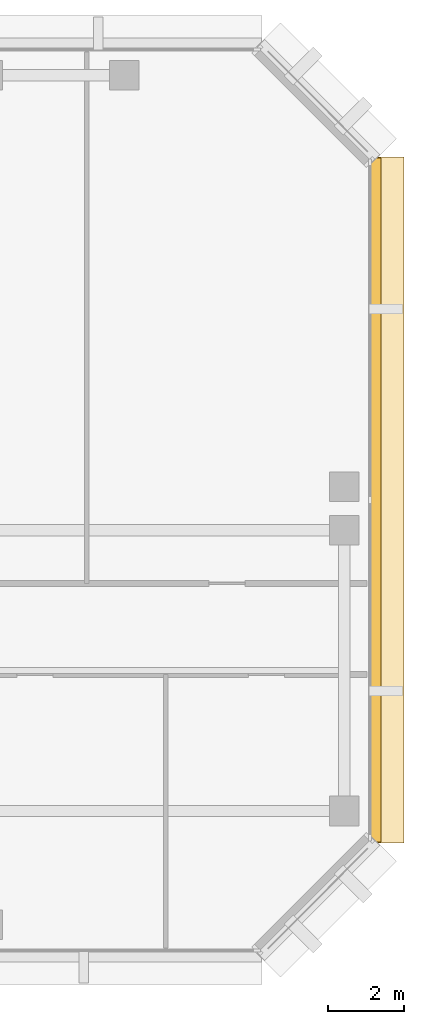
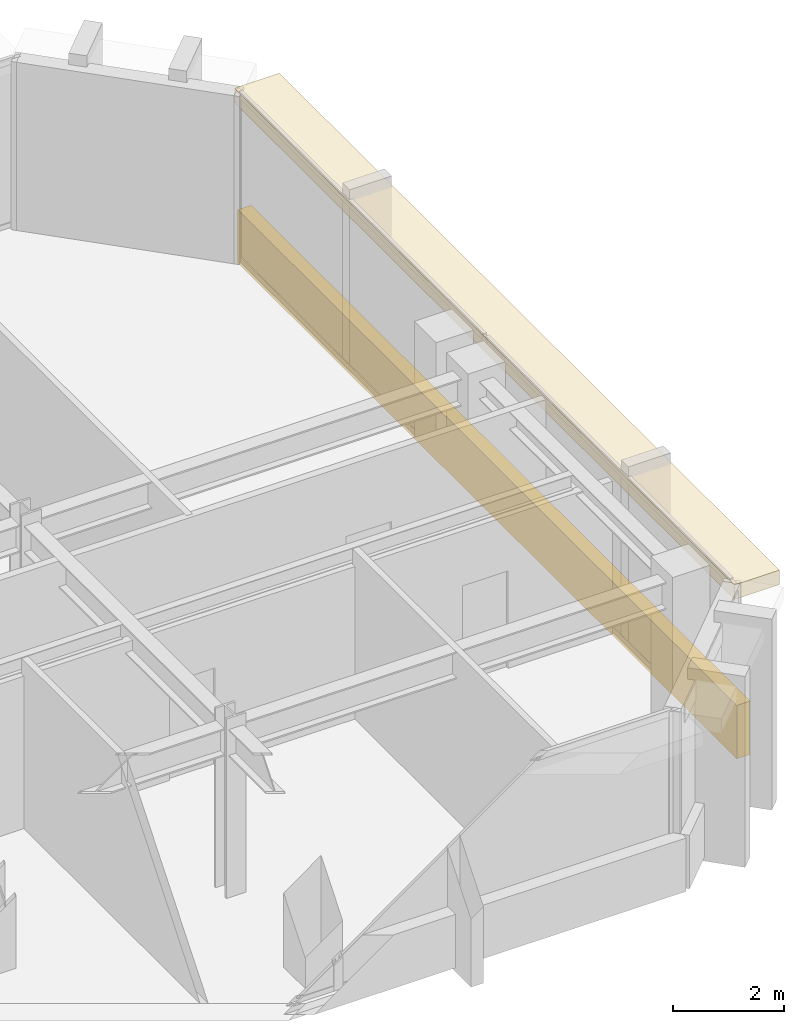
# One storey, part 10 of 12: 2 coverings.
"""IFC4 building model written with IfcOpenShell, lengths in metres."""

from ifc_helpers import new_model, si_unit, direction, frame, origin, origin_2d, place, context, subcontext, project, spatial, rectangle, extrude, material, layer, layer_set, type_object, element, save


model = new_model("IFC4")

# Units and contexts
model_context = context("Model", 3, precision=1e-05, world=origin(), true_north=direction((0.0, 1.0)))
body_context = subcontext(model_context, "Body", "Model", "MODEL_VIEW")
ifc_project = project(units=[si_unit("LENGTHUNIT", "METRE"), si_unit("AREAUNIT", "SQUARE_METRE"), si_unit("VOLUMEUNIT", "CUBIC_METRE"), si_unit("PLANEANGLEUNIT", "RADIAN"), si_unit("MASSUNIT", "GRAM", prefix="KILO")], contexts=[model_context])

# Site, building, storey
site_placement = place(None, origin())
site = spatial("IfcSite", under=ifc_project, at=site_placement, CompositionType="ELEMENT")
building_placement = place(site_placement, origin())
building = spatial("IfcBuilding", under=site, at=building_placement, Name="Kefirva Bronze Tower", CompositionType="ELEMENT")
storey_placement = place(building_placement, frame((0.0, 0.0, 260.3701171875)))
storey = spatial("IfcBuildingStorey", under=building, at=storey_placement, Name="L63", CompositionType="ELEMENT", Elevation=260.3701171875)

# Coverings
ifc_material = material(Name="Bronze anodised aluminium", Category="aluminium")
ifc_layer_1 = layer(ifc_material, 0.02001953125, Name="Bronze anodised aluminium")
ifc_layer_set_1 = layer_set([ifc_layer_1], Name="Bronze anodised aluminium")
covering_type_1 = type_object("IfcCoveringType", Name="Anodised Bronze Spandrel Cladding 20mm", PredefinedType="CLADDING", material=ifc_layer_set_1)
covering_1_placement = place(storey_placement, frame((50.239990234375, 34.0, -0.16015625), z_axis=(0.0, 0.0, 1.0), x_axis=(0.0, 1.0, 0.0)))
element("IfcCovering", 1, at=covering_1_placement, inside=storey, type_object=covering_type_1, Name="L63 Streamline Horizontal Spandrel Band 6", PredefinedType="CLADDING", context=body_context, shape_type="SweptSolid", body=[
    extrude(rectangle(XDim=18.0400390625, YDim=0.280029296875, at=origin_2d()), origin(), (0.0, 0.0, 1.0), 1.179931640625),
])
ifc_layer_2 = layer(ifc_material, 0.179931640625, Name="Bronze anodised aluminium")
ifc_layer_set_2 = layer_set([ifc_layer_2], Name="Bronze anodised aluminium")
covering_type_2 = type_object("IfcCoveringType", Name="Streamline Bronze Sunshade Eyebrow Cladding 180mm", PredefinedType="CLADDING", material=ifc_layer_set_2)
covering_2_placement = place(storey_placement, frame((50.510009765625, 34.0, 3.3896484375), z_axis=(0.0, 0.0, 1.0), x_axis=(0.0, 1.0, 0.0)))
element("IfcCovering", 2, at=covering_2_placement, inside=storey, type_object=covering_type_2, Name="L63 Streamline Bronze Sunshade Eyebrow 6", PredefinedType="CLADDING", context=body_context, shape_type="SweptSolid", body=[
    extrude(rectangle(XDim=18.080078125, YDim=0.93994140625, at=origin_2d()), origin(), (0.0, 0.0, 1.0), 0.320068359375),
])

save(model, "model.ifc")
